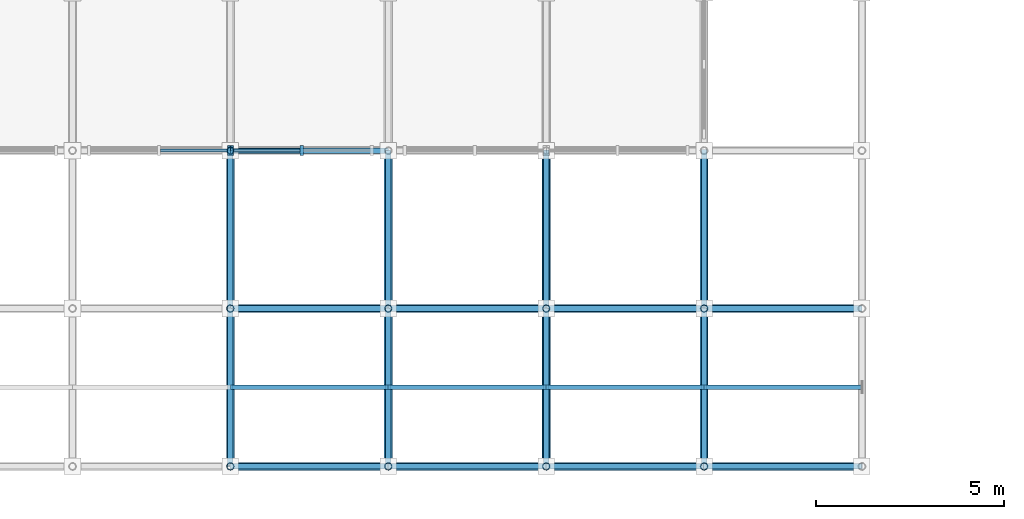
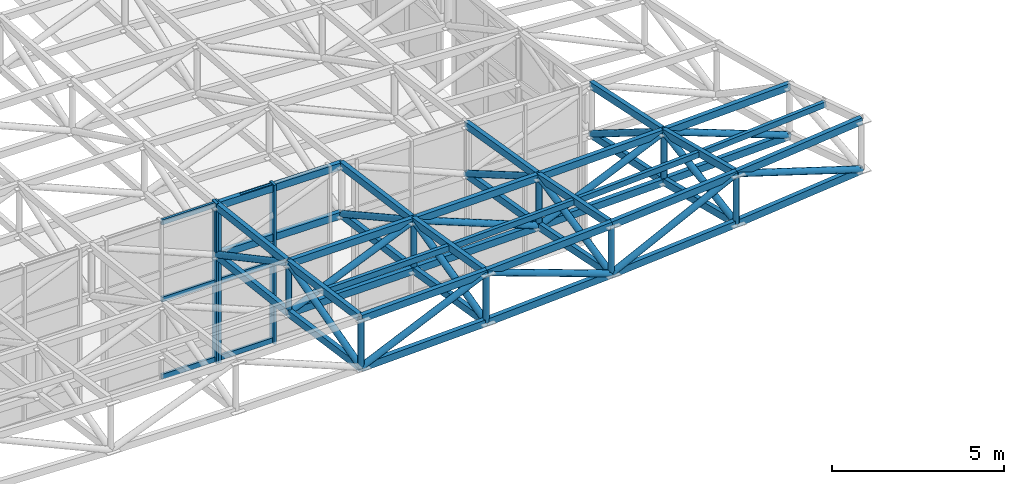
# One storey, part 21 of 132: 72 members, 2 elements without a shape of their own.
"""IFC4 building model written with IfcOpenShell, lengths in metres."""

from ifc_helpers import new_model, si_unit, direction, frame, origin, origin_2d, place, context, subcontext, project, spatial, rectangle, hollow_rectangle, hollow_circle, extrude, material, material_profile, profile_set, type_object, element, aggregate, save


model = new_model("IFC4")

# Units and contexts
model_context = context("Model", 3, precision=1e-05, world=origin(), true_north=direction((0.0, 1.0)))
body_context = subcontext(model_context, "Body", "Model", "MODEL_VIEW")
ifc_project = project(units=[si_unit("LENGTHUNIT", "METRE"), si_unit("AREAUNIT", "SQUARE_METRE"), si_unit("VOLUMEUNIT", "CUBIC_METRE"), si_unit("PLANEANGLEUNIT", "RADIAN"), si_unit("MASSUNIT", "GRAM", prefix="KILO")], contexts=[model_context])

# Site, building, storey
site_placement = place(None, origin())
site = spatial("IfcSite", under=ifc_project, at=site_placement, CompositionType="ELEMENT")
building_placement = place(site_placement, origin())
building = spatial("IfcBuilding", under=site, at=building_placement, Name="Cumbredor Promenade Congress Hotel", CompositionType="ELEMENT")
storey_placement = place(building_placement, frame((0.0, 0.0, 7.56005859375)))
storey = spatial("IfcBuildingStorey", under=building, at=storey_placement, Name="L02", CompositionType="ELEMENT", Elevation=7.56005859375)

# Curtain wall, member
ifc_material_1 = material(Name="Thermally broken anodized aluminium and low-E glass", Category="aluminium")
curtain_wall_type = type_object("IfcCurtainWallType", Name="Stepped Pavilion Clerestory Curtain Wall CW-06", PredefinedType="NOTDEFINED", material=ifc_material_1)
curtain_wall_1_placement = place(storey_placement, origin())
curtain_wall_1 = element("IfcCurtainWall", 1, at=curtain_wall_1_placement, inside=storey, type_object=curtain_wall_type, Name="Thermal Spa and Hydrotherapy Pavilion S Glazed Clerestory 5", PredefinedType="NOTDEFINED")
ifc_material_2 = material(Name="Thermally broken anodized aluminium", Category="aluminium")
ifc_material_profile_1 = material_profile(ifc_material_2, rectangle(XDim=0.0849609375, YDim=0.260009765625, at=origin_2d()), Name="ALU MULLION CLERESTORY 85x260")
ifc_profile_set_1 = profile_set([ifc_material_profile_1], Name="Thermally broken anodized aluminium")
member_type_1 = type_object("IfcMemberType", Name="Curtain Wall Mullion ML-04", PredefinedType="MULLION", material=ifc_profile_set_1)
member_1_placement = place(storey_placement, frame((96.56005859375, 8.39990234375, -0.01806640625), z_axis=(0.0, 0.0, 1.0), x_axis=(1.0, 0.0, 0.0)))
member_1 = element("IfcMember", 2, at=member_1_placement, type_object=member_type_1, Name="Thermal Spa and Hydrotherapy Pavilion S Glazed Clerestory 5 Mullion 3", PredefinedType="MULLION", context=body_context, shape_type="SweptSolid", body=[
    extrude(rectangle(XDim=0.0849609375, YDim=0.260009765625, at=origin_2d()), origin(), (0.0, 0.0, 1.0), 5.678955078125),
])

# Curtain wall, members
curtain_wall_2_placement = place(storey_placement, origin())
curtain_wall_2 = element("IfcCurtainWall", 3, at=curtain_wall_2_placement, inside=storey, type_object=curtain_wall_type, Name="Thermal Spa and Hydrotherapy Pavilion S Glazed Clerestory 6", PredefinedType="NOTDEFINED")
member_2_placement = place(storey_placement, frame((96.639892578125, 8.39990234375, -0.01806640625), z_axis=(0.0, 0.0, 1.0), x_axis=(1.0, 0.0, 0.0)))
member_2 = element("IfcMember", 4, at=member_2_placement, type_object=member_type_1, Name="Thermal Spa and Hydrotherapy Pavilion S Glazed Clerestory 6 Mullion 1", PredefinedType="MULLION", context=body_context, shape_type="SweptSolid", body=[
    extrude(rectangle(XDim=0.0849609375, YDim=0.260009765625, at=origin_2d()), origin(), (0.0, 0.0, 1.0), 5.6533203125),
])
member_3_placement = place(storey_placement, frame((98.5, 8.39990234375, -0.01806640625), z_axis=(0.0, 0.0, 1.0), x_axis=(1.0, 0.0, 0.0)))
member_3 = element("IfcMember", 5, at=member_3_placement, type_object=member_type_1, Name="Thermal Spa and Hydrotherapy Pavilion S Glazed Clerestory 6 Mullion 2", PredefinedType="MULLION", context=body_context, shape_type="SweptSolid", body=[
    extrude(rectangle(XDim=0.0849609375, YDim=0.260009765625, at=origin_2d()), origin(), (0.0, 0.0, 1.0), 5.6533203125),
])

# Member
ifc_material_profile_2 = material_profile(ifc_material_2, rectangle(XDim=0.080078125, YDim=0.179931640625, at=origin_2d()), Name="ALU TRANSOM 80x180")
ifc_profile_set_2 = profile_set([ifc_material_profile_2], Name="Thermally broken anodized aluminium")
member_type_2 = type_object("IfcMemberType", Name="Curtain Wall Transom TR-03", PredefinedType="USERDEFINED", material=ifc_profile_set_2)
member_4_placement = place(storey_placement, frame((94.742431640625, 8.39990234375, 0.079833984375), z_axis=(1.0, 0.0, 0.0), x_axis=(0.0, 1.0, 0.0)))
member_4 = element("IfcMember", 6, at=member_4_placement, type_object=member_type_2, Name="Thermal Spa and Hydrotherapy Pavilion S Glazed Clerestory 5 Transom 2.1", ObjectType="TRANSOM", PredefinedType="USERDEFINED", context=body_context, shape_type="SweptSolid", body=[
    extrude(rectangle(XDim=0.080078125, YDim=0.179931640625, at=origin_2d()), origin(), (0.0, 0.0, 1.0), 1.775146484375),
])

member_5_placement = place(storey_placement, frame((94.742431640625, 8.39990234375, 2.81982421875), z_axis=(1.0, 0.0, 0.0), x_axis=(0.0, 1.0, 0.0)))
member_5 = element("IfcMember", 7, at=member_5_placement, type_object=member_type_2, Name="Thermal Spa and Hydrotherapy Pavilion S Glazed Clerestory 5 Transom 2.2", ObjectType="TRANSOM", PredefinedType="USERDEFINED", context=body_context, shape_type="SweptSolid", body=[
    extrude(rectangle(XDim=0.080078125, YDim=0.179931640625, at=origin_2d()), origin(), (0.0, 0.0, 1.0), 1.775146484375),
])

member_6_placement = place(storey_placement, frame((94.742431640625, 8.39990234375, 5.56005859375), z_axis=(1.0, 0.0, 0.0), x_axis=(0.0, 1.0, 0.0)))
member_6 = element("IfcMember", 8, at=member_6_placement, type_object=member_type_2, Name="Thermal Spa and Hydrotherapy Pavilion S Glazed Clerestory 5 Transom 2.3", ObjectType="TRANSOM", PredefinedType="USERDEFINED", context=body_context, shape_type="SweptSolid", body=[
    extrude(rectangle(XDim=0.080078125, YDim=0.179931640625, at=origin_2d()), origin(), (0.0, 0.0, 1.0), 1.775146484375),
])

aggregate(curtain_wall_1, [member_1, member_4, member_5, member_6])

member_7_placement = place(storey_placement, frame((96.6826171875, 8.39990234375, 0.079833984375), z_axis=(1.0, 0.0, 0.0), x_axis=(0.0, 1.0, 0.0)))
member_7 = element("IfcMember", 9, at=member_7_placement, type_object=member_type_2, Name="Thermal Spa and Hydrotherapy Pavilion S Glazed Clerestory 6 Transom 1.1", ObjectType="TRANSOM", PredefinedType="USERDEFINED", context=body_context, shape_type="SweptSolid", body=[
    extrude(rectangle(XDim=0.080078125, YDim=0.179931640625, at=origin_2d()), origin(), (0.0, 0.0, 1.0), 1.77490234375),
])

member_8_placement = place(storey_placement, frame((96.6826171875, 8.39990234375, 2.81005859375), z_axis=(1.0, 0.0, 0.0), x_axis=(0.0, 1.0, 0.0)))
member_8 = element("IfcMember", 10, at=member_8_placement, type_object=member_type_2, Name="Thermal Spa and Hydrotherapy Pavilion S Glazed Clerestory 6 Transom 1.2", ObjectType="TRANSOM", PredefinedType="USERDEFINED", context=body_context, shape_type="SweptSolid", body=[
    extrude(rectangle(XDim=0.080078125, YDim=0.179931640625, at=origin_2d()), origin(), (0.0, 0.0, 1.0), 1.77490234375),
])

member_9_placement = place(storey_placement, frame((96.6826171875, 8.39990234375, 5.5400390625), z_axis=(1.0, 0.0, 0.0), x_axis=(0.0, 1.0, 0.0)))
member_9 = element("IfcMember", 11, at=member_9_placement, type_object=member_type_2, Name="Thermal Spa and Hydrotherapy Pavilion S Glazed Clerestory 6 Transom 1.3", ObjectType="TRANSOM", PredefinedType="USERDEFINED", context=body_context, shape_type="SweptSolid", body=[
    extrude(rectangle(XDim=0.080078125, YDim=0.179931640625, at=origin_2d()), origin(), (0.0, 0.0, 1.0), 1.77490234375),
])

aggregate(curtain_wall_2, [member_2, member_3, member_7, member_8, member_9])

# Members
ifc_material_3 = material(Name="Steel ASTM A500 Grade C", Category="steel")
ifc_material_profile_3 = material_profile(ifc_material_3, hollow_rectangle(XDim=0.1201171875, YDim=0.199951171875, WallThickness=0.010009765625, at=origin_2d()), Name="HSS 200x120x10")
ifc_profile_set_3 = profile_set([ifc_material_profile_3], Name="Steel ASTM A500 Grade C")
member_type_3 = type_object("IfcMemberType", Name="Roof Purlin HSS200x120", PredefinedType="PURLIN", material=ifc_profile_set_3)
member_10_placement = place(storey_placement, frame((96.60009765625, 2.10009765625, 6.28759765625), z_axis=(0.999735162521, 0.0, 0.023013144472), x_axis=(0.0, 1.0, 0.0)))
element("IfcMember", 12, at=member_10_placement, inside=storey, type_object=member_type_3, Name="Thermal Spa and Hydrotherapy Pavilion Roof Eave Purlin 7.1", PredefinedType="PURLIN", context=body_context, shape_type="SweptSolid", body=[
    extrude(hollow_rectangle(XDim=0.1201171875, YDim=0.199951171875, WallThickness=0.010009765625, at=origin_2d()), origin(), (0.0, 0.0, 1.0), 4.201171875),
])
member_11_placement = place(storey_placement, frame((100.800048828125, 2.10009765625, 6.38427734375), z_axis=(0.999267082996, 0.0, 0.038279195936), x_axis=(0.0, 1.0, 0.0)))
element("IfcMember", 13, at=member_11_placement, inside=storey, type_object=member_type_3, Name="Thermal Spa and Hydrotherapy Pavilion Roof Eave Purlin 8.1", PredefinedType="PURLIN", context=body_context, shape_type="SweptSolid", body=[
    extrude(hollow_rectangle(XDim=0.1201171875, YDim=0.199951171875, WallThickness=0.010009765625, at=origin_2d()), origin(), (0.0, 0.0, 1.0), 4.203125),
])
member_12_placement = place(storey_placement, frame((105.0, 2.10009765625, 6.545166015625), z_axis=(0.998569958899, 0.0, 0.05346061339), x_axis=(0.0, 1.0, 0.0)))
element("IfcMember", 14, at=member_12_placement, inside=storey, type_object=member_type_3, Name="Thermal Spa and Hydrotherapy Pavilion Roof Eave Purlin 9.1", PredefinedType="PURLIN", context=body_context, shape_type="SweptSolid", body=[
    extrude(hollow_rectangle(XDim=0.1201171875, YDim=0.199951171875, WallThickness=0.010009765625, at=origin_2d()), origin(), (0.0, 0.0, 1.0), 4.2060546875),
])
member_13_placement = place(storey_placement, frame((109.199951171875, 2.10009765625, 6.77001953125), z_axis=(0.997588004809, 0.0, 0.06941305829), x_axis=(0.0, 1.0, 0.0)))
element("IfcMember", 15, at=member_13_placement, inside=storey, type_object=member_type_3, Name="Thermal Spa and Hydrotherapy Pavilion Roof Eave Purlin 10.1", PredefinedType="PURLIN", context=body_context, shape_type="SweptSolid", body=[
    extrude(hollow_rectangle(XDim=0.1201171875, YDim=0.199951171875, WallThickness=0.010009765625, at=origin_2d()), origin(), (0.0, 0.0, 1.0), 4.210205078125),
])
ifc_material_profile_4 = material_profile(ifc_material_3, hollow_rectangle(XDim=0.14990234375, YDim=0.25, WallThickness=0.012451171875, at=origin_2d()), Name="HSS 250x150x12.5")
ifc_profile_set_4 = profile_set([ifc_material_profile_4], Name="Steel ASTM A500 Grade C")
member_type_4 = type_object("IfcMemberType", Name="Spa Roof Space Frame Chord", PredefinedType="CHORD", material=ifc_profile_set_4)
for number, where, z_axis, x_axis, name in (
    (16, (96.60009765625, 0.0, 6.607421875), (0.999422307276, 0.0, 0.033986051837), (0.0, 1.0, 0.0), "Thermal Spa and Hydrotherapy Pavilion X Top Chord 7.1"),
    (17, (96.60009765625, 0.0, 4.857421875), (0.999422307276, 0.0, 0.033986051837), (0.0, 1.0, 0.0), "Thermal Spa and Hydrotherapy Pavilion X Bottom Chord 7.1"),
):
    element("IfcMember", number, at=place(storey_placement, frame(where, z_axis=z_axis, x_axis=x_axis)), inside=storey, type_object=member_type_4, Name=name, PredefinedType="CHORD", context=body_context, shape_type="SweptSolid", body=[
        extrude(hollow_rectangle(XDim=0.14990234375, YDim=0.25, WallThickness=0.012451171875, at=origin_2d()), origin(), (0.0, 0.0, 1.0), 4.202392578125),
    ])
for number, where, z_axis, x_axis, name in (
    (18, (100.800048828125, 0.0, 6.750244140625), (0.998397765356, 0.0, 0.056585352626), (0.0, 1.0, 0.0), "Thermal Spa and Hydrotherapy Pavilion X Top Chord 8.1"),
    (19, (100.800048828125, 0.0, 5.000244140625), (0.998397765356, 0.0, 0.056585352626), (0.0, 1.0, 0.0), "Thermal Spa and Hydrotherapy Pavilion X Bottom Chord 8.1"),
):
    element("IfcMember", number, at=place(storey_placement, frame(where, z_axis=z_axis, x_axis=x_axis)), inside=storey, type_object=member_type_4, Name=name, PredefinedType="CHORD", context=body_context, shape_type="SweptSolid", body=[
        extrude(hollow_rectangle(XDim=0.14990234375, YDim=0.25, WallThickness=0.012451171875, at=origin_2d()), origin(), (0.0, 0.0, 1.0), 4.206787109375),
    ])
for number, where, z_axis, x_axis, name in (
    (20, (105.0, 0.0, 6.98828125), (0.996875975004, 0.0, 0.07898284915), (0.0, 1.0, 0.0), "Thermal Spa and Hydrotherapy Pavilion X Top Chord 9.1"),
    (21, (105.0, 0.0, 5.23828125), (0.996875975004, 0.0, 0.07898284915), (0.0, 1.0, 0.0), "Thermal Spa and Hydrotherapy Pavilion X Bottom Chord 9.1"),
):
    element("IfcMember", number, at=place(storey_placement, frame(where, z_axis=z_axis, x_axis=x_axis)), inside=storey, type_object=member_type_4, Name=name, PredefinedType="CHORD", context=body_context, shape_type="SweptSolid", body=[
        extrude(hollow_rectangle(XDim=0.14990234375, YDim=0.25, WallThickness=0.012451171875, at=origin_2d()), origin(), (0.0, 0.0, 1.0), 4.213134765625),
    ])
for number, where, z_axis, x_axis, name in (
    (22, (109.199951171875, 0.0, 7.321044921875), (0.994830685569, 0.0, 0.101547560534), (0.0, 1.0, 0.0), "Thermal Spa and Hydrotherapy Pavilion X Top Chord 10.1"),
    (23, (109.199951171875, 0.0, 5.571044921875), (0.994830685569, 0.0, 0.101547560534), (0.0, 1.0, 0.0), "Thermal Spa and Hydrotherapy Pavilion X Bottom Chord 10.1"),
):
    element("IfcMember", number, at=place(storey_placement, frame(where, z_axis=z_axis, x_axis=x_axis)), inside=storey, type_object=member_type_4, Name=name, PredefinedType="CHORD", context=body_context, shape_type="SweptSolid", body=[
        extrude(hollow_rectangle(XDim=0.14990234375, YDim=0.25, WallThickness=0.012451171875, at=origin_2d()), origin(), (0.0, 0.0, 1.0), 4.2216796875),
    ])
for number, where, z_axis, x_axis, name in (
    (24, (96.60009765625, 4.199951171875, 6.008056640625), (0.999928311521, 0.0, 0.011973797138), (0.0, 1.0, 0.0), "Thermal Spa and Hydrotherapy Pavilion X Top Chord 7.2"),
    (25, (96.60009765625, 4.199951171875, 4.258056640625), (0.999928311521, 0.0, 0.011973797138), (0.0, 1.0, 0.0), "Thermal Spa and Hydrotherapy Pavilion X Bottom Chord 7.2"),
):
    element("IfcMember", number, at=place(storey_placement, frame(where, z_axis=z_axis, x_axis=x_axis)), inside=storey, type_object=member_type_4, Name=name, PredefinedType="CHORD", context=body_context, shape_type="SweptSolid", body=[
        extrude(hollow_rectangle(XDim=0.14990234375, YDim=0.25, WallThickness=0.012451171875, at=origin_2d()), origin(), (0.0, 0.0, 1.0), 4.2001953125),
    ])
for number, where, z_axis, x_axis, name in (
    (26, (100.800048828125, 4.199951171875, 6.058349609375), (0.999801289689, 0.0, 0.019934420878), (0.0, 1.0, 0.0), "Thermal Spa and Hydrotherapy Pavilion X Top Chord 8.2"),
    (27, (100.800048828125, 4.199951171875, 4.308349609375), (0.999801289689, 0.0, 0.019934420878), (0.0, 1.0, 0.0), "Thermal Spa and Hydrotherapy Pavilion X Bottom Chord 8.2"),
):
    element("IfcMember", number, at=place(storey_placement, frame(where, z_axis=z_axis, x_axis=x_axis)), inside=storey, type_object=member_type_4, Name=name, PredefinedType="CHORD", context=body_context, shape_type="SweptSolid", body=[
        extrude(hollow_rectangle(XDim=0.14990234375, YDim=0.25, WallThickness=0.012451171875, at=origin_2d()), origin(), (0.0, 0.0, 1.0), 4.20068359375),
    ])
for number, where, z_axis, x_axis, name in (
    (28, (105.0, 4.199951171875, 6.14208984375), (0.999612581625, 0.0, 0.027833193431), (0.0, 1.0, 0.0), "Thermal Spa and Hydrotherapy Pavilion X Top Chord 9.2"),
    (29, (105.0, 4.199951171875, 4.39208984375), (0.999612581625, 0.0, 0.027833193431), (0.0, 1.0, 0.0), "Thermal Spa and Hydrotherapy Pavilion X Bottom Chord 9.2"),
):
    element("IfcMember", number, at=place(storey_placement, frame(where, z_axis=z_axis, x_axis=x_axis)), inside=storey, type_object=member_type_4, Name=name, PredefinedType="CHORD", context=body_context, shape_type="SweptSolid", body=[
        extrude(hollow_rectangle(XDim=0.14990234375, YDim=0.25, WallThickness=0.012451171875, at=origin_2d()), origin(), (0.0, 0.0, 1.0), 4.20166015625),
    ])
for number, where, z_axis, x_axis, name in (
    (30, (109.199951171875, 4.199951171875, 6.259033203125), (0.999313002329, 0.0, 0.037061076294), (0.0, 1.0, 0.0), "Thermal Spa and Hydrotherapy Pavilion X Top Chord 10.2"),
    (31, (109.199951171875, 4.199951171875, 4.509033203125), (0.999313002329, 0.0, 0.037061076294), (0.0, 1.0, 0.0), "Thermal Spa and Hydrotherapy Pavilion X Bottom Chord 10.2"),
):
    element("IfcMember", number, at=place(storey_placement, frame(where, z_axis=z_axis, x_axis=x_axis)), inside=storey, type_object=member_type_4, Name=name, PredefinedType="CHORD", context=body_context, shape_type="SweptSolid", body=[
        extrude(hollow_rectangle(XDim=0.14990234375, YDim=0.25, WallThickness=0.012451171875, at=origin_2d()), origin(), (0.0, 0.0, 1.0), 4.202880859375),
    ])
for number, where, z_axis, x_axis, name in (
    (32, (96.60009765625, 8.39990234375, 5.510009765625), (0.999981017169, 0.0, -0.006161599013), (0.0, 1.0, 0.0), "Thermal Spa and Hydrotherapy Pavilion X Top Chord 7.3"),
    (33, (96.60009765625, 8.39990234375, 3.760009765625), (0.999981017169, 0.0, -0.006161599013), (0.0, 1.0, 0.0), "Thermal Spa and Hydrotherapy Pavilion X Bottom Chord 7.3"),
):
    element("IfcMember", number, at=place(storey_placement, frame(where, z_axis=z_axis, x_axis=x_axis)), inside=storey, type_object=member_type_4, Name=name, PredefinedType="CHORD", context=body_context, shape_type="SweptSolid", body=[
        extrude(hollow_rectangle(XDim=0.14990234375, YDim=0.25, WallThickness=0.012451171875, at=origin_2d()), origin(), (0.0, 0.0, 1.0), 4.199951171875),
    ])
for number, where, z_axis, x_axis, name in (
    (34, (96.60009765625, 0.0, 6.607421875), (0.0, 0.989970199733, -0.141276337868), (-1.0, 0.0, 0.0), "Thermal Spa and Hydrotherapy Pavilion Y Top Chord 7.1"),
    (35, (96.60009765625, 0.0, 4.857421875), (0.0, 0.989970199733, -0.141276337868), (-1.0, 0.0, 0.0), "Thermal Spa and Hydrotherapy Pavilion Y Bottom Chord 7.1"),
):
    element("IfcMember", number, at=place(storey_placement, frame(where, z_axis=z_axis, x_axis=x_axis)), inside=storey, type_object=member_type_4, Name=name, PredefinedType="CHORD", context=body_context, shape_type="SweptSolid", body=[
        extrude(hollow_rectangle(XDim=0.14990234375, YDim=0.25, WallThickness=0.012451171875, at=origin_2d()), origin(), (0.0, 0.0, 1.0), 4.242431640625),
    ])
for number, where, z_axis, x_axis, name in (
    (36, (96.60009765625, 4.199951171875, 6.008056640625), (0.0, 0.993042216965, -0.117758886392), (-1.0, 0.0, 0.0), "Thermal Spa and Hydrotherapy Pavilion Y Top Chord 7.2"),
    (37, (96.60009765625, 4.199951171875, 4.258056640625), (0.0, 0.993042216965, -0.117758886392), (-1.0, 0.0, 0.0), "Thermal Spa and Hydrotherapy Pavilion Y Bottom Chord 7.2"),
):
    element("IfcMember", number, at=place(storey_placement, frame(where, z_axis=z_axis, x_axis=x_axis)), inside=storey, type_object=member_type_4, Name=name, PredefinedType="CHORD", context=body_context, shape_type="SweptSolid", body=[
        extrude(hollow_rectangle(XDim=0.14990234375, YDim=0.25, WallThickness=0.012451171875, at=origin_2d()), origin(), (0.0, 0.0, 1.0), 4.2294921875),
    ])
for number, where, z_axis, x_axis, name in (
    (38, (100.800048828125, 0.0, 6.750244140625), (0.0, 0.98670067124, -0.162547794123), (-1.0, 0.0, 0.0), "Thermal Spa and Hydrotherapy Pavilion Y Top Chord 8.1"),
    (39, (100.800048828125, 0.0, 5.000244140625), (0.0, 0.98670067124, -0.162547794123), (-1.0, 0.0, 0.0), "Thermal Spa and Hydrotherapy Pavilion Y Bottom Chord 8.1"),
):
    element("IfcMember", number, at=place(storey_placement, frame(where, z_axis=z_axis, x_axis=x_axis)), inside=storey, type_object=member_type_4, Name=name, PredefinedType="CHORD", context=body_context, shape_type="SweptSolid", body=[
        extrude(hollow_rectangle(XDim=0.14990234375, YDim=0.25, WallThickness=0.012451171875, at=origin_2d()), origin(), (0.0, 0.0, 1.0), 4.256591796875),
    ])
for number, where, z_axis, x_axis, name in (
    (40, (100.800048828125, 4.199951171875, 6.058349609375), (0.0, 0.99078279409, -0.135460159955), (-1.0, 0.0, 0.0), "Thermal Spa and Hydrotherapy Pavilion Y Top Chord 8.2"),
    (41, (100.800048828125, 4.199951171875, 4.308349609375), (0.0, 0.99078279409, -0.135460159955), (-1.0, 0.0, 0.0), "Thermal Spa and Hydrotherapy Pavilion Y Bottom Chord 8.2"),
):
    element("IfcMember", number, at=place(storey_placement, frame(where, z_axis=z_axis, x_axis=x_axis)), inside=storey, type_object=member_type_4, Name=name, PredefinedType="CHORD", context=body_context, shape_type="SweptSolid", body=[
        extrude(hollow_rectangle(XDim=0.14990234375, YDim=0.25, WallThickness=0.012451171875, at=origin_2d()), origin(), (0.0, 0.0, 1.0), 4.239013671875),
    ])
for number, where, z_axis, x_axis, name in (
    (42, (105.0, 0.0, 6.98828125), (0.0, 0.980301341541, -0.197507670161), (-1.0, 0.0, 0.0), "Thermal Spa and Hydrotherapy Pavilion Y Top Chord 9.1"),
    (43, (105.0, 0.0, 5.23828125), (0.0, 0.980301341541, -0.197507670161), (-1.0, 0.0, 0.0), "Thermal Spa and Hydrotherapy Pavilion Y Bottom Chord 9.1"),
):
    element("IfcMember", number, at=place(storey_placement, frame(where, z_axis=z_axis, x_axis=x_axis)), inside=storey, type_object=member_type_4, Name=name, PredefinedType="CHORD", context=body_context, shape_type="SweptSolid", body=[
        extrude(hollow_rectangle(XDim=0.14990234375, YDim=0.25, WallThickness=0.012451171875, at=origin_2d()), origin(), (0.0, 0.0, 1.0), 4.284423828125),
    ])
for number, where, z_axis, x_axis, name in (
    (44, (105.0, 4.199951171875, 6.14208984375), (0.0, 0.986348948056, -0.164668614708), (-1.0, 0.0, 0.0), "Thermal Spa and Hydrotherapy Pavilion Y Top Chord 9.2"),
    (45, (105.0, 4.199951171875, 4.39208984375), (0.0, 0.986348948056, -0.164668614708), (-1.0, 0.0, 0.0), "Thermal Spa and Hydrotherapy Pavilion Y Bottom Chord 9.2"),
):
    element("IfcMember", number, at=place(storey_placement, frame(where, z_axis=z_axis, x_axis=x_axis)), inside=storey, type_object=member_type_4, Name=name, PredefinedType="CHORD", context=body_context, shape_type="SweptSolid", body=[
        extrude(hollow_rectangle(XDim=0.14990234375, YDim=0.25, WallThickness=0.012451171875, at=origin_2d()), origin(), (0.0, 0.0, 1.0), 4.258056640625),
    ])
for number, where, z_axis, x_axis, name in (
    (46, (109.199951171875, 0.0, 7.321044921875), (0.0, 0.969485920896, -0.245146995053), (-1.0, 0.0, 0.0), "Thermal Spa and Hydrotherapy Pavilion Y Top Chord 10.1"),
    (47, (109.199951171875, 0.0, 5.571044921875), (0.0, 0.969485920896, -0.245146995053), (-1.0, 0.0, 0.0), "Thermal Spa and Hydrotherapy Pavilion Y Bottom Chord 10.1"),
):
    element("IfcMember", number, at=place(storey_placement, frame(where, z_axis=z_axis, x_axis=x_axis)), inside=storey, type_object=member_type_4, Name=name, PredefinedType="CHORD", context=body_context, shape_type="SweptSolid", body=[
        extrude(hollow_rectangle(XDim=0.14990234375, YDim=0.25, WallThickness=0.012451171875, at=origin_2d()), origin(), (0.0, 0.0, 1.0), 4.33203125),
    ])
for number, where, z_axis, x_axis, name in (
    (48, (109.199951171875, 4.199951171875, 6.259033203125), (0.0, 0.97879778836, -0.204828927402), (-1.0, 0.0, 0.0), "Thermal Spa and Hydrotherapy Pavilion Y Top Chord 10.2"),
    (49, (109.199951171875, 4.199951171875, 4.509033203125), (0.0, 0.97879778836, -0.204828927402), (-1.0, 0.0, 0.0), "Thermal Spa and Hydrotherapy Pavilion Y Bottom Chord 10.2"),
):
    element("IfcMember", number, at=place(storey_placement, frame(where, z_axis=z_axis, x_axis=x_axis)), inside=storey, type_object=member_type_4, Name=name, PredefinedType="CHORD", context=body_context, shape_type="SweptSolid", body=[
        extrude(hollow_rectangle(XDim=0.14990234375, YDim=0.25, WallThickness=0.012451171875, at=origin_2d()), origin(), (0.0, 0.0, 1.0), 4.291015625),
    ])
ifc_material_profile_5 = material_profile(ifc_material_3, hollow_circle(Radius=0.109619140625, WallThickness=0.012451171875, at=origin_2d()), Name="CHS 219.1x12.5")
ifc_profile_set_5 = profile_set([ifc_material_profile_5], Name="Steel ASTM A500 Grade C")
member_type_5 = type_object("IfcMemberType", Name="Space Frame Web Diagonal D1", PredefinedType="BRACE", material=ifc_profile_set_5)
member_14_placement = place(storey_placement, frame((96.60009765625, 0.0, 4.857421875), z_axis=(0.911690315674, 0.0, 0.41087804554), x_axis=(0.0, 1.0, 0.0)))
element("IfcMember", 50, at=member_14_placement, inside=storey, type_object=member_type_5, Name="Thermal Spa and Hydrotherapy Pavilion X Web Diagonal 7.1", PredefinedType="BRACE", context=body_context, shape_type="SweptSolid", body=[
    extrude(hollow_circle(Radius=0.109619140625, WallThickness=0.012451171875, at=origin_2d()), origin(), (0.0, 0.0, 1.0), 4.606689453125),
])
member_15_placement = place(storey_placement, frame((100.800048828125, 0.0, 6.750244140625), z_axis=(0.940888806307, 0.0, -0.338715594807), x_axis=(0.0, 1.0, 0.0)))
element("IfcMember", 51, at=member_15_placement, inside=storey, type_object=member_type_5, Name="Thermal Spa and Hydrotherapy Pavilion X Web Diagonal 8.1", PredefinedType="BRACE", context=body_context, shape_type="SweptSolid", body=[
    extrude(hollow_circle(Radius=0.109619140625, WallThickness=0.012451171875, at=origin_2d()), origin(), (0.0, 0.0, 1.0), 4.4638671875),
])
member_16_placement = place(storey_placement, frame((105.0, 0.0, 5.23828125), z_axis=(0.89589095667, 0.0, 0.444274007519), x_axis=(0.0, 1.0, 0.0)))
element("IfcMember", 52, at=member_16_placement, inside=storey, type_object=member_type_5, Name="Thermal Spa and Hydrotherapy Pavilion X Web Diagonal 9.1", PredefinedType="BRACE", context=body_context, shape_type="SweptSolid", body=[
    extrude(hollow_circle(Radius=0.109619140625, WallThickness=0.012451171875, at=origin_2d()), origin(), (0.0, 0.0, 1.0), 4.68798828125),
])
member_17_placement = place(storey_placement, frame((109.199951171875, 0.0, 7.321044921875), z_axis=(0.953908938115, 0.0, -0.300096214211), x_axis=(0.0, 1.0, 0.0)))
element("IfcMember", 53, at=member_17_placement, inside=storey, type_object=member_type_5, Name="Thermal Spa and Hydrotherapy Pavilion X Web Diagonal 10.1", PredefinedType="BRACE", context=body_context, shape_type="SweptSolid", body=[
    extrude(hollow_circle(Radius=0.109619140625, WallThickness=0.012451171875, at=origin_2d()), origin(), (0.0, 0.0, 1.0), 4.40283203125),
])
member_18_placement = place(storey_placement, frame((96.60009765625, 4.199951171875, 4.258056640625), z_axis=(0.919120156578, 0.0, 0.393977331547), x_axis=(0.0, 1.0, 0.0)))
element("IfcMember", 54, at=member_18_placement, inside=storey, type_object=member_type_5, Name="Thermal Spa and Hydrotherapy Pavilion X Web Diagonal 7.2", PredefinedType="BRACE", context=body_context, shape_type="SweptSolid", body=[
    extrude(hollow_circle(Radius=0.109619140625, WallThickness=0.012451171875, at=origin_2d()), origin(), (0.0, 0.0, 1.0), 4.569580078125),
])
member_19_placement = place(storey_placement, frame((100.800048828125, 4.199951171875, 6.058349609375), z_axis=(0.929520112027, 0.0, -0.36877142153), x_axis=(0.0, 1.0, 0.0)))
element("IfcMember", 55, at=member_19_placement, inside=storey, type_object=member_type_5, Name="Thermal Spa and Hydrotherapy Pavilion X Web Diagonal 8.2", PredefinedType="BRACE", context=body_context, shape_type="SweptSolid", body=[
    extrude(hollow_circle(Radius=0.109619140625, WallThickness=0.012451171875, at=origin_2d()), origin(), (0.0, 0.0, 1.0), 4.518310546875),
])
member_20_placement = place(storey_placement, frame((105.0, 4.199951171875, 4.39208984375), z_axis=(0.913787452289, 0.0, 0.406192678466), x_axis=(0.0, 1.0, 0.0)))
element("IfcMember", 56, at=member_20_placement, inside=storey, type_object=member_type_5, Name="Thermal Spa and Hydrotherapy Pavilion X Web Diagonal 9.2", PredefinedType="BRACE", context=body_context, shape_type="SweptSolid", body=[
    extrude(hollow_circle(Radius=0.109619140625, WallThickness=0.012451171875, at=origin_2d()), origin(), (0.0, 0.0, 1.0), 4.59619140625),
])
member_21_placement = place(storey_placement, frame((109.199951171875, 4.199951171875, 6.259033203125), z_axis=(0.934912365015, 0.0, -0.354878669043), x_axis=(0.0, 1.0, 0.0)))
element("IfcMember", 57, at=member_21_placement, inside=storey, type_object=member_type_5, Name="Thermal Spa and Hydrotherapy Pavilion X Web Diagonal 10.2", PredefinedType="BRACE", context=body_context, shape_type="SweptSolid", body=[
    extrude(hollow_circle(Radius=0.109619140625, WallThickness=0.012451171875, at=origin_2d()), origin(), (0.0, 0.0, 1.0), 4.492431640625),
])
member_22_placement = place(storey_placement, frame((96.60009765625, 0.0, 4.857421875), z_axis=(0.0, 0.964460439706, 0.264227288981), x_axis=(-1.0, 0.0, 0.0)))
element("IfcMember", 58, at=member_22_placement, inside=storey, type_object=member_type_5, Name="Thermal Spa and Hydrotherapy Pavilion Y Web Diagonal 7.1", PredefinedType="BRACE", context=body_context, shape_type="SweptSolid", body=[
    extrude(hollow_circle(Radius=0.109619140625, WallThickness=0.012451171875, at=origin_2d()), origin(), (0.0, 0.0, 1.0), 4.354736328125),
])
member_23_placement = place(storey_placement, frame((96.60009765625, 4.199951171875, 6.008056640625), z_axis=(0.0, 0.881648291296, -0.471907078199), x_axis=(-1.0, 0.0, 0.0)))
element("IfcMember", 59, at=member_23_placement, inside=storey, type_object=member_type_5, Name="Thermal Spa and Hydrotherapy Pavilion Y Web Diagonal 7.2", PredefinedType="BRACE", context=body_context, shape_type="SweptSolid", body=[
    extrude(hollow_circle(Radius=0.109619140625, WallThickness=0.012451171875, at=origin_2d()), origin(), (0.0, 0.0, 1.0), 4.763671875),
])
member_24_placement = place(storey_placement, frame((100.800048828125, 0.0, 5.000244140625), z_axis=(0.0, 0.969699899183, 0.244299213106), x_axis=(-1.0, 0.0, 0.0)))
element("IfcMember", 60, at=member_24_placement, inside=storey, type_object=member_type_5, Name="Thermal Spa and Hydrotherapy Pavilion Y Web Diagonal 8.1", PredefinedType="BRACE", context=body_context, shape_type="SweptSolid", body=[
    extrude(hollow_circle(Radius=0.109619140625, WallThickness=0.012451171875, at=origin_2d()), origin(), (0.0, 0.0, 1.0), 4.331298828125),
])
member_25_placement = place(storey_placement, frame((100.800048828125, 4.199951171875, 6.058349609375), z_axis=(0.0, 0.874959776995, -0.484195609893), x_axis=(-1.0, 0.0, 0.0)))
element("IfcMember", 61, at=member_25_placement, inside=storey, type_object=member_type_5, Name="Thermal Spa and Hydrotherapy Pavilion Y Web Diagonal 8.2", PredefinedType="BRACE", context=body_context, shape_type="SweptSolid", body=[
    extrude(hollow_circle(Radius=0.109619140625, WallThickness=0.012451171875, at=origin_2d()), origin(), (0.0, 0.0, 1.0), 4.800048828125),
])
member_26_placement = place(storey_placement, frame((105.0, 0.0, 5.23828125), z_axis=(0.0, 0.977619916417, 0.210378941497), x_axis=(-1.0, 0.0, 0.0)))
element("IfcMember", 62, at=member_26_placement, inside=storey, type_object=member_type_5, Name="Thermal Spa and Hydrotherapy Pavilion Y Web Diagonal 9.1", PredefinedType="BRACE", context=body_context, shape_type="SweptSolid", body=[
    extrude(hollow_circle(Radius=0.109619140625, WallThickness=0.012451171875, at=origin_2d()), origin(), (0.0, 0.0, 1.0), 4.296142578125),
])
member_27_placement = place(storey_placement, frame((105.0, 4.199951171875, 6.14208984375), z_axis=(0.0, 0.86367144841, -0.504055184679), x_axis=(-1.0, 0.0, 0.0)))
element("IfcMember", 63, at=member_27_placement, inside=storey, type_object=member_type_5, Name="Thermal Spa and Hydrotherapy Pavilion Y Web Diagonal 9.2", PredefinedType="BRACE", context=body_context, shape_type="SweptSolid", body=[
    extrude(hollow_circle(Radius=0.109619140625, WallThickness=0.012451171875, at=origin_2d()), origin(), (0.0, 0.0, 1.0), 4.86279296875),
])
member_28_placement = place(storey_placement, frame((109.199951171875, 0.0, 5.571044921875), z_axis=(0.0, 0.986847474922, 0.161654140809), x_axis=(-1.0, 0.0, 0.0)))
element("IfcMember", 64, at=member_28_placement, inside=storey, type_object=member_type_5, Name="Thermal Spa and Hydrotherapy Pavilion Y Web Diagonal 10.1", PredefinedType="BRACE", context=body_context, shape_type="SweptSolid", body=[
    extrude(hollow_circle(Radius=0.109619140625, WallThickness=0.012451171875, at=origin_2d()), origin(), (0.0, 0.0, 1.0), 4.255859375),
])
member_29_placement = place(storey_placement, frame((109.199951171875, 4.199951171875, 6.259033203125), z_axis=(0.0, 0.847641021699, -0.53057016344), x_axis=(-1.0, 0.0, 0.0)))
element("IfcMember", 65, at=member_29_placement, inside=storey, type_object=member_type_5, Name="Thermal Spa and Hydrotherapy Pavilion Y Web Diagonal 10.2", PredefinedType="BRACE", context=body_context, shape_type="SweptSolid", body=[
    extrude(hollow_circle(Radius=0.109619140625, WallThickness=0.012451171875, at=origin_2d()), origin(), (0.0, 0.0, 1.0), 4.954833984375),
])
ifc_material_profile_6 = material_profile(ifc_material_3, hollow_circle(Radius=0.096923828125, WallThickness=0.010009765625, at=origin_2d()), Name="CHS 193.7x10")
ifc_profile_set_6 = profile_set([ifc_material_profile_6], Name="Steel ASTM A500 Grade C")
member_type_6 = type_object("IfcMemberType", Name="Space Frame Web Post P1", PredefinedType="BRACE", material=ifc_profile_set_6)
for number, where, z_axis, x_axis, name in (
    (66, (96.60009765625, 0.0, 4.857421875), (0.0, 0.0, 1.0), (1.0, 0.0, 0.0), "Thermal Spa and Hydrotherapy Pavilion Space Frame Web Post 7.1"),
    (67, (96.60009765625, 4.199951171875, 4.258056640625), (0.0, 0.0, 1.0), (1.0, 0.0, 0.0), "Thermal Spa and Hydrotherapy Pavilion Space Frame Web Post 7.2"),
    (68, (96.60009765625, 8.39990234375, 3.760009765625), (0.0, 0.0, 1.0), (1.0, 0.0, 0.0), "Thermal Spa and Hydrotherapy Pavilion Space Frame Web Post 7.3"),
    (69, (100.800048828125, 0.0, 5.000244140625), (0.0, 0.0, 1.0), (1.0, 0.0, 0.0), "Thermal Spa and Hydrotherapy Pavilion Space Frame Web Post 8.1"),
    (70, (100.800048828125, 4.199951171875, 4.308349609375), (0.0, 0.0, 1.0), (1.0, 0.0, 0.0), "Thermal Spa and Hydrotherapy Pavilion Space Frame Web Post 8.2"),
    (71, (105.0, 0.0, 5.23828125), (0.0, 0.0, 1.0), (1.0, 0.0, 0.0), "Thermal Spa and Hydrotherapy Pavilion Space Frame Web Post 9.1"),
    (72, (105.0, 4.199951171875, 4.39208984375), (0.0, 0.0, 1.0), (1.0, 0.0, 0.0), "Thermal Spa and Hydrotherapy Pavilion Space Frame Web Post 9.2"),
    (73, (109.199951171875, 0.0, 5.571044921875), (0.0, 0.0, 1.0), (1.0, 0.0, 0.0), "Thermal Spa and Hydrotherapy Pavilion Space Frame Web Post 10.1"),
    (74, (109.199951171875, 4.199951171875, 4.509033203125), (0.0, 0.0, 1.0), (1.0, 0.0, 0.0), "Thermal Spa and Hydrotherapy Pavilion Space Frame Web Post 10.2"),
):
    element("IfcMember", number, at=place(storey_placement, frame(where, z_axis=z_axis, x_axis=x_axis)), inside=storey, type_object=member_type_6, Name=name, PredefinedType="BRACE", context=body_context, shape_type="SweptSolid", body=[
        extrude(hollow_circle(Radius=0.096923828125, WallThickness=0.010009765625, at=origin_2d()), origin(), (0.0, 0.0, 1.0), 1.75),
    ])

save(model, "model.ifc")
